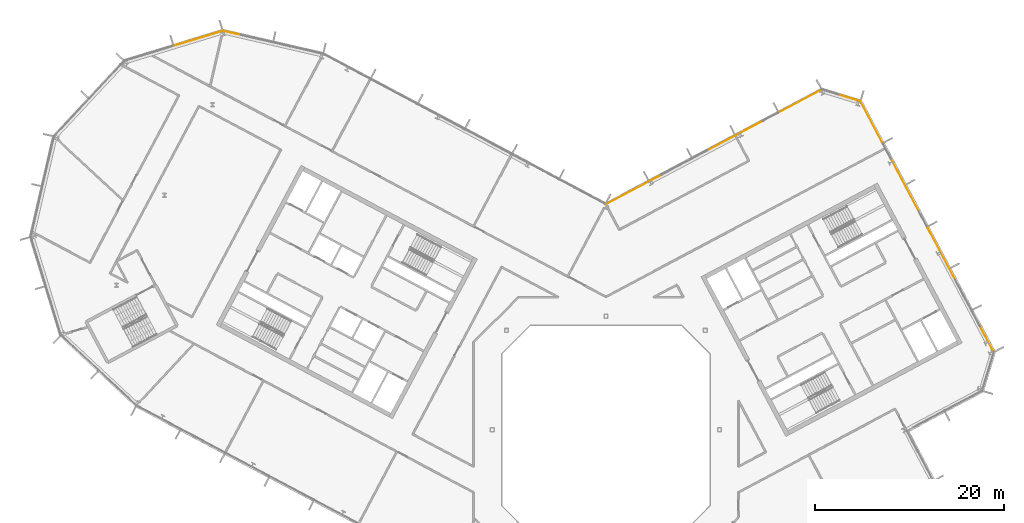
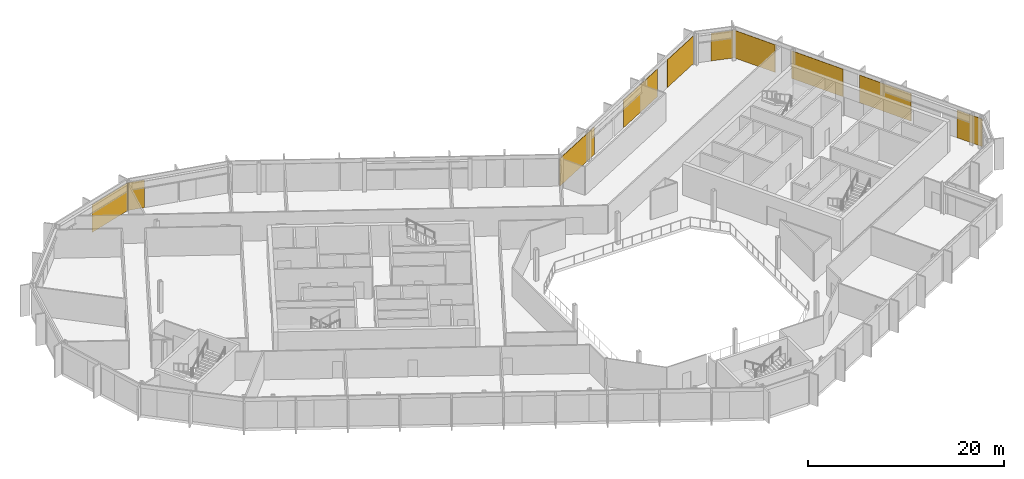
# One storey, part 26 of 26: 10 coverings, 5 elements without a shape of their own.
"""IFC4 building model written with IfcOpenShell, lengths in metres."""

from ifc_helpers import new_model, si_unit, direction, frame, origin, origin_2d, place, context, subcontext, project, spatial, rectangle, extrude, material, layer, layer_set, type_object, element, aggregate, save


model = new_model("IFC4")

# Units and contexts
model_context = context("Model", 3, precision=1e-05, world=origin(), true_north=direction((0.0, 1.0)))
body_context = subcontext(model_context, "Body", "Model", "MODEL_VIEW")
ifc_project = project(units=[si_unit("LENGTHUNIT", "METRE"), si_unit("AREAUNIT", "SQUARE_METRE"), si_unit("VOLUMEUNIT", "CUBIC_METRE"), si_unit("PLANEANGLEUNIT", "RADIAN"), si_unit("MASSUNIT", "GRAM", prefix="KILO")], contexts=[model_context])

# Site, building, storey
site_placement = place(None, origin())
site = spatial("IfcSite", under=ifc_project, at=site_placement, CompositionType="ELEMENT")
building_placement = place(site_placement, origin())
building = spatial("IfcBuilding", under=site, at=building_placement, Name="Cormorant Relay Tower", CompositionType="ELEMENT")
storey_placement = place(building_placement, frame((0.0, 0.0, 269.699951171875)))
storey = spatial("IfcBuildingStorey", under=building, at=storey_placement, Name="L60", CompositionType="ELEMENT", Elevation=269.699951171875)

# Curtain wall, coverings
ifc_material_1 = material(Name="Aluminium 6063-T6 anodised bronze", Category="aluminium")
ifc_layer_1 = layer(ifc_material_1, 0.199951171875)
ifc_layer_set_1 = layer_set([ifc_layer_1], Name="CW1 unitised bronze curtain wall with vertical fins")
curtain_wall_type = type_object("IfcCurtainWallType", Name="CW1 unitised bronze curtain wall with vertical fins", PredefinedType="NOTDEFINED", material=ifc_layer_set_1)
curtain_wall_1_placement = place(storey_placement, origin())
curtain_wall_1 = element("IfcCurtainWall", 1, at=curtain_wall_1_placement, inside=storey, type_object=curtain_wall_type, Name="CW1 curtain wall 6", PredefinedType="NOTDEFINED")
ifc_material_2 = material(Name="Pale bronze anodised aluminium insulated panel", Category="aluminium")
ifc_layer_2 = layer(ifc_material_2, 0.0400390625)
ifc_layer_set_2 = layer_set([ifc_layer_2], Name="CW1 pale bronze insulated panel 40")
covering_type = type_object("IfcCoveringType", Name="CW1 pale bronze insulated panel 40", PredefinedType="CLADDING", material=ifc_layer_set_2)
covering_1_placement = place(storey_placement, frame((40.218017578125, 9.605712890625, 0.0), z_axis=(0.0, 0.0, 1.0), x_axis=(-0.469471562786, 0.882947592859, 0.0)))
covering_1 = element("IfcCovering", 2, at=covering_1_placement, type_object=covering_type, Name="CW1 panel S00", PredefinedType="CLADDING", context=body_context, shape_type="SweptSolid", body=[
    extrude(rectangle(XDim=3.050048828125, YDim=0.0400390625, at=origin_2d()), origin(), (0.0, 0.0, 1.0), 3.449951171875),
])
covering_2_placement = place(storey_placement, frame((35.429443359375, 18.61181640625, 0.0), z_axis=(0.0, 0.0, 1.0), x_axis=(-0.469471562786, 0.882947592859, 0.0)))
covering_2 = element("IfcCovering", 3, at=covering_2_placement, type_object=covering_type, Name="CW1 panel S03", PredefinedType="CLADDING", context=body_context, shape_type="SweptSolid", body=[
    extrude(rectangle(XDim=6.25, YDim=0.0400390625, at=origin_2d()), origin(), (0.0, 0.0, 1.0), 3.449951171875),
])
covering_3_placement = place(storey_placement, frame((31.579833984375, 25.851806640625, 0.0), z_axis=(0.0, 0.0, 1.0), x_axis=(-0.469471562786, 0.882947592859, 0.0)))
covering_3 = element("IfcCovering", 4, at=covering_3_placement, type_object=covering_type, Name="CW1 panel S05", PredefinedType="CLADDING", context=body_context, shape_type="SweptSolid", body=[
    extrude(rectangle(XDim=6.25, YDim=0.0400390625, at=origin_2d()), origin(), (0.0, 0.0, 1.0), 3.449951171875),
])
covering_4_placement = place(storey_placement, frame((28.041015625, 32.507080078125, 0.0), z_axis=(0.0, 0.0, 1.0), x_axis=(-0.469471562786, 0.882947592859, 0.0)))
covering_4 = element("IfcCovering", 5, at=covering_4_placement, type_object=covering_type, Name="CW1 panel S07", PredefinedType="CLADDING", context=body_context, shape_type="SweptSolid", body=[
    extrude(rectangle(XDim=4.925048828125, YDim=0.0400390625, at=origin_2d()), origin(), (0.0, 0.0, 1.0), 3.449951171875),
])
aggregate(curtain_wall_1, [covering_1, covering_2, covering_3, covering_4])

# Curtain wall, covering
curtain_wall_2_placement = place(storey_placement, origin())
curtain_wall_2 = element("IfcCurtainWall", 6, at=curtain_wall_2_placement, inside=storey, type_object=curtain_wall_type, Name="CW1 curtain wall 7", PredefinedType="NOTDEFINED")
covering_5_placement = place(storey_placement, frame((25.66943359375, 35.05908203125, 0.0), z_axis=(0.0, 0.0, 1.0), x_axis=(-0.956304755963, 0.292371704723, 0.0)))
covering_5 = element("IfcCovering", 7, at=covering_5_placement, type_object=covering_type, Name="CW1 panel S00", PredefinedType="CLADDING", context=body_context, shape_type="SweptSolid", body=[
    extrude(rectangle(XDim=2.36767578125, YDim=0.0400390625, at=origin_2d()), origin(), (0.0, 0.0, 1.0), 3.449951171875),
])
aggregate(curtain_wall_2, [covering_5])

# Curtain wall, coverings
curtain_wall_3_placement = place(storey_placement, origin())
curtain_wall_3 = element("IfcCurtainWall", 8, at=curtain_wall_3_placement, inside=storey, type_object=curtain_wall_type, Name="CW1 curtain wall 8", PredefinedType="NOTDEFINED")
covering_6_placement = place(storey_placement, frame((20.519775390625, 34.71728515625, 0.0), z_axis=(0.0, 0.0, 1.0), x_axis=(-0.882947592859, -0.469471562786, 0.0)))
covering_6 = element("IfcCovering", 9, at=covering_6_placement, type_object=covering_type, Name="CW1 panel S00", PredefinedType="CLADDING", context=body_context, shape_type="SweptSolid", body=[
    extrude(rectangle(XDim=5.016845703125, YDim=0.0400390625, at=origin_2d()), origin(), (0.0, 0.0, 1.0), 3.449951171875),
])
covering_7_placement = place(storey_placement, frame((13.6767578125, 31.07861328125, 0.0), z_axis=(0.0, 0.0, 1.0), x_axis=(-0.882947592859, -0.469471562786, 0.0)))
covering_7 = element("IfcCovering", 10, at=covering_7_placement, type_object=covering_type, Name="CW1 panel S02", PredefinedType="CLADDING", context=body_context, shape_type="SweptSolid", body=[
    extrude(rectangle(XDim=6.58349609375, YDim=0.0400390625, at=origin_2d()), origin(), (0.0, 0.0, 1.0), 3.449951171875),
])
covering_8_placement = place(storey_placement, frame((2.93017578125, 25.36474609375, 0.0), z_axis=(0.0, 0.0, 1.0), x_axis=(-0.882947592859, -0.469471562786, 0.0)))
covering_8 = element("IfcCovering", 11, at=covering_8_placement, type_object=covering_type, Name="CW1 panel S05", PredefinedType="CLADDING", context=body_context, shape_type="SweptSolid", body=[
    extrude(rectangle(XDim=6.65869140625, YDim=0.0400390625, at=origin_2d()), origin(), (0.0, 0.0, 1.0), 3.449951171875),
])
aggregate(curtain_wall_3, [covering_6, covering_7, covering_8])

# Curtain wall, covering
curtain_wall_4_placement = place(storey_placement, origin())
curtain_wall_4 = element("IfcCurtainWall", 12, at=curtain_wall_4_placement, inside=storey, type_object=curtain_wall_type, Name="CW1 curtain wall 10", PredefinedType="NOTDEFINED")
covering_9_placement = place(storey_placement, frame((-39.603515625, 41.934814453125, 0.0), z_axis=(0.0, 0.0, 1.0), x_axis=(-0.974370064785, 0.224951054344, 0.0)))
covering_9 = element("IfcCovering", 13, at=covering_9_placement, type_object=covering_type, Name="CW1 panel S03", PredefinedType="CLADDING", context=body_context, shape_type="SweptSolid", body=[
    extrude(rectangle(XDim=1.76025390625, YDim=0.0400390625, at=origin_2d()), origin(), (0.0, 0.0, 1.0), 3.449951171875),
])
aggregate(curtain_wall_4, [covering_9])

curtain_wall_5_placement = place(storey_placement, origin())
curtain_wall_5 = element("IfcCurtainWall", 14, at=curtain_wall_5_placement, inside=storey, type_object=curtain_wall_type, Name="CW1 curtain wall 11", PredefinedType="NOTDEFINED")
covering_10_placement = place(storey_placement, frame((-43.0703125, 41.337890625, 0.0), z_axis=(0.0, 0.0, 1.0), x_axis=(-0.956304755963, -0.292371704723, 0.0)))
covering_10 = element("IfcCovering", 15, at=covering_10_placement, type_object=covering_type, Name="CW1 panel S00", PredefinedType="CLADDING", context=body_context, shape_type="SweptSolid", body=[
    extrude(rectangle(XDim=5.28515625, YDim=0.0400390625, at=origin_2d()), origin(), (0.0, 0.0, 1.0), 3.449951171875),
])
aggregate(curtain_wall_5, [covering_10])

save(model, "model.ifc")
